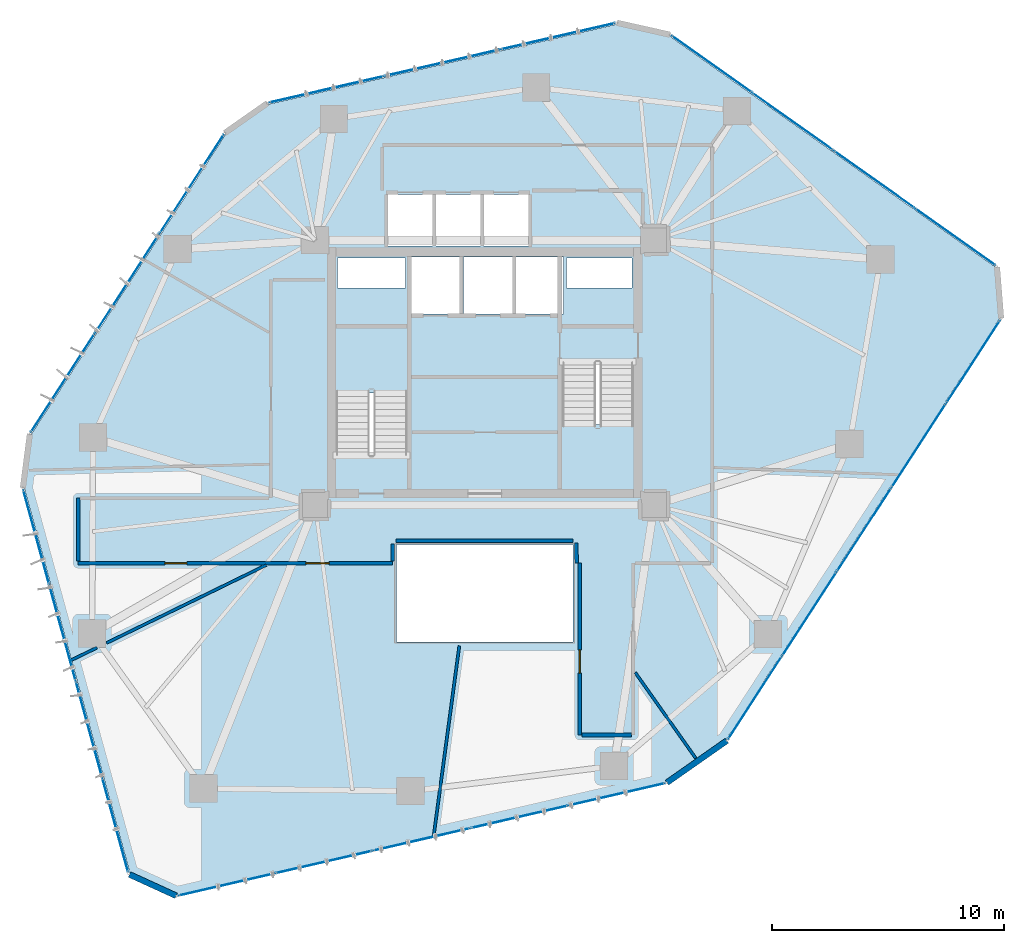
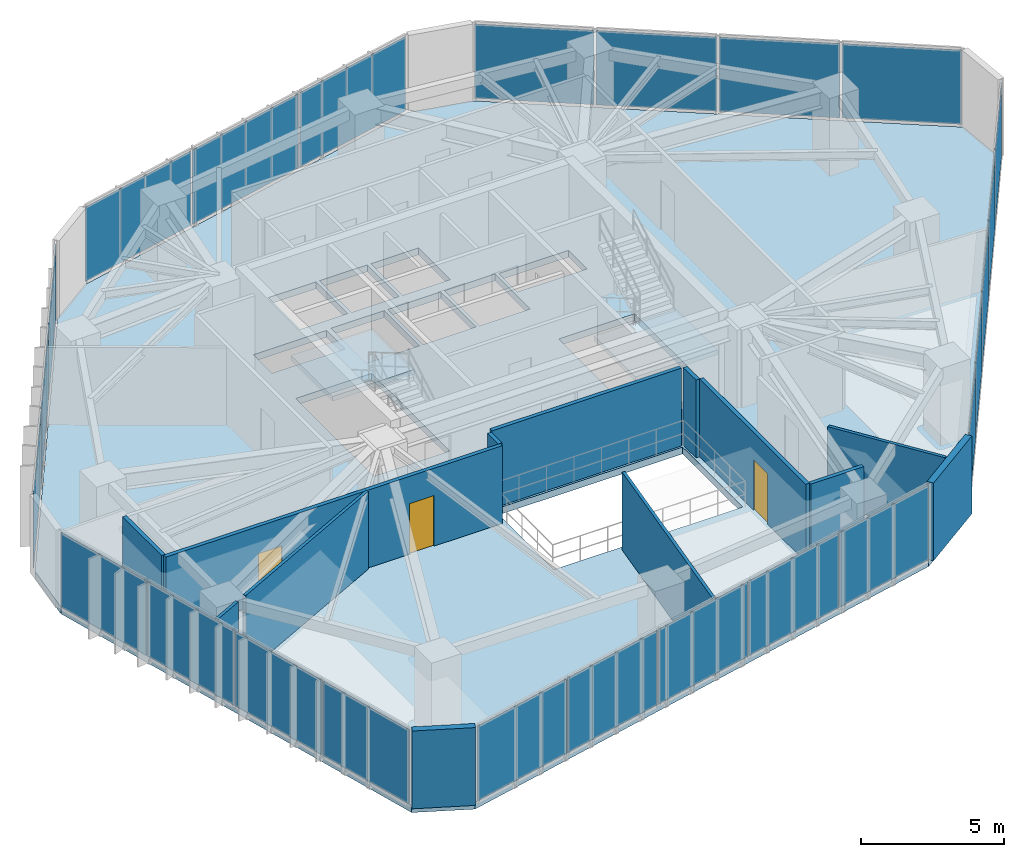
# One storey, part 16 of 21: 24 plates, 13 walls, 3 doors, 3 slabs, 3 openings, 8 elements without a shape of their own.
"""IFC4 building model written with IfcOpenShell, lengths in metres."""

import ifcopenshell
import ifcopenshell.guid

model = None  # the IFC model being written
_history = None  # IfcOwnerHistory: only IFC2X3 demands one
_inside = {}  # id of a spatial element -> (the spatial element, [elements in it])
_under = {}  # id of a project, library or spatial element -> (it, [spatial elements below it])
_declared = {}  # id of a project -> (the project, [libraries it declares])
_typed = {}  # id of a type object -> (the type object, [elements of that type])
_made_of = {}  # id of a material, layer set ... -> (it, [elements and type objects made of it])


def new_model(schema):
    """Start an empty IFC model of exactly this schema.

    Asked for "IFC4X3", IfcOpenShell would pick the latest addendum, in which some entities
    have other attributes; the version numbers below select the first issue.
    IFC2X3 requires an IfcOwnerHistory on every rooted entity: one is made here for all.
    """
    global model, _history
    if schema == "IFC4X3":
        model = ifcopenshell.file(schema_version=(4, 3, 0, 0))
    else:
        model = ifcopenshell.file(schema=schema)
    _inside.clear()
    _under.clear()
    _declared.clear()
    _typed.clear()
    _made_of.clear()
    _history = None
    if model.schema == "IFC2X3":
        org = make("IfcOrganization", Name="unknown")
        user = make(
            "IfcPersonAndOrganization",
            ThePerson=make("IfcPerson", FamilyName="unknown"),
            TheOrganization=org,
        )
        app = make(
            "IfcApplication",
            ApplicationDeveloper=org,
            Version="unknown",
            ApplicationFullName="unknown",
            ApplicationIdentifier="unknown",
        )
        _history = make(
            "IfcOwnerHistory",
            OwningUser=user,
            OwningApplication=app,
            ChangeAction="ADDED",
            CreationDate=0,
        )
    return model


def make(cls, **values):
    """One entity of the class cls with the attributes given. An attribute that is None is left unset."""
    return model.create_entity(
        cls, **{name: value for name, value in values.items() if value is not None}
    )


def rooted(cls, **values):
    """An entity with a GlobalId (a new one), such as an element, a storey or a relation."""
    return make(cls, GlobalId=ifcopenshell.guid.new(), OwnerHistory=_history, **values)


def si_unit(unit_type, name, prefix=None):
    """IfcSIUnit, for example si_unit("LENGTHUNIT", "METRE", prefix="MILLI")."""
    return make("IfcSIUnit", UnitType=unit_type, Prefix=prefix, Name=name)


def assignment(units):
    """IfcUnitAssignment: the units of a project."""
    return None if units is None else make("IfcUnitAssignment", Units=units)


def point(xyz):
    """IfcCartesianPoint."""
    return None if xyz is None else make("IfcCartesianPoint", Coordinates=xyz)


def direction(xyz):
    """IfcDirection."""
    return None if xyz is None else make("IfcDirection", DirectionRatios=xyz)


def frame(location, z_axis=None, x_axis=None):
    """IfcAxis2Placement3D, a coordinate frame: its origin and axes. An axis left out is left unset."""
    return make(
        "IfcAxis2Placement3D",
        Location=point(location),
        Axis=direction(z_axis),
        RefDirection=direction(x_axis),
    )


def frame_2d(location, x_axis=None):
    """IfcAxis2Placement2D, a coordinate frame in the plane: its origin and x axis."""
    return make(
        "IfcAxis2Placement2D", Location=point(location), RefDirection=direction(x_axis)
    )


def origin():
    """The frame at (0, 0, 0) with its axes left unset."""
    return frame((0.0, 0.0, 0.0))


def origin_2d():
    """The frame at (0, 0) in the plane with its x axis left unset."""
    return frame_2d((0.0, 0.0))


def place(relative_to, where):
    """IfcLocalPlacement: puts the frame where relative to a parent placement (None: the world)."""
    return make(
        "IfcLocalPlacement", PlacementRelTo=relative_to, RelativePlacement=where
    )


def context(
    kind, dimensions, precision=None, world=None, true_north=None, identifier=None
):
    """IfcGeometricRepresentationContext, for example the 3D "Model" context."""
    return make(
        "IfcGeometricRepresentationContext",
        ContextIdentifier=identifier,
        ContextType=kind,
        CoordinateSpaceDimension=dimensions,
        Precision=precision,
        WorldCoordinateSystem=world,
        TrueNorth=true_north,
    )


def subcontext(parent, identifier, kind, view, scale=None):
    """IfcGeometricRepresentationSubContext, for example "Body" below "Model"."""
    return make(
        "IfcGeometricRepresentationSubContext",
        ContextIdentifier=identifier,
        ContextType=kind,
        ParentContext=parent,
        TargetScale=scale,
        TargetView=view,
    )


def project(units=None, contexts=None):
    """IfcProject with its units and contexts."""
    return rooted(
        "IfcProject",
        Name="project",
        RepresentationContexts=contexts,
        UnitsInContext=assignment(units),
    )


def spatial(cls, under=None, at=None, **own):
    """A site, building, storey or space (cls), placed at a placement, below another one or the project."""
    s = rooted(cls, ObjectPlacement=at, **own)
    if under is not None:
        _under.setdefault(under.id(), (under, []))[1].append(s)
    return s


def polyline(points):
    """IfcPolyline through the points."""
    return make("IfcPolyline", Points=[point(p) for p in points])


def profile(cls, at=None, kind="AREA", **sizes):
    """A parametric profile (cls). Its sizes go by their IFC names, for example OverallWidth=200.0."""
    return make(cls, ProfileType=kind, Position=at, **sizes)


def rectangle(**sizes):
    """IfcRectangleProfileDef."""
    return profile("IfcRectangleProfileDef", **sizes)


def outline(outer, holes=None, kind="AREA"):
    """IfcArbitraryClosedProfileDef: a profile drawn as a closed curve; with holes, ...WithVoids."""
    if holes is None:
        return make("IfcArbitraryClosedProfileDef", ProfileType=kind, OuterCurve=outer)
    return make(
        "IfcArbitraryProfileDefWithVoids",
        ProfileType=kind,
        OuterCurve=outer,
        InnerCurves=holes,
    )


def extrude(swept, where, along, depth):
    """IfcExtrudedAreaSolid: the profile swept, set in the frame where, extruded along a direction by depth."""
    return make(
        "IfcExtrudedAreaSolid",
        SweptArea=swept,
        Position=where,
        ExtrudedDirection=direction(along),
        Depth=depth,
    )


def shape(context_of_items, identifier, shape_type, items):
    """IfcShapeRepresentation: the items that make up one representation, for example the "Body"."""
    return make(
        "IfcShapeRepresentation",
        ContextOfItems=context_of_items,
        RepresentationIdentifier=identifier,
        RepresentationType=shape_type,
        Items=items,
    )


def source(mapping_origin, context_of_items, identifier, shape_type, items):
    """IfcRepresentationMap: a shape defined once, which mapped items show again and again."""
    return make(
        "IfcRepresentationMap",
        MappingOrigin=mapping_origin,
        MappedRepresentation=shape(context_of_items, identifier, shape_type, items),
    )


def transform(
    local_origin,
    x_axis=None,
    y_axis=None,
    z_axis=None,
    scale=None,
    scale2=None,
    scale3=None,
    uniform=True,
):
    """IfcCartesianTransformationOperator3D, or its non-uniform kind. x_axis, y_axis, z_axis: its Axis1, 2, 3."""
    if uniform:
        return make(
            "IfcCartesianTransformationOperator3D",
            Axis1=direction(x_axis),
            Axis2=direction(y_axis),
            LocalOrigin=point(local_origin),
            Scale=scale,
            Axis3=direction(z_axis),
        )
    return make(
        "IfcCartesianTransformationOperator3DnonUniform",
        Axis1=direction(x_axis),
        Axis2=direction(y_axis),
        LocalOrigin=point(local_origin),
        Scale=scale,
        Axis3=direction(z_axis),
        Scale2=scale2,
        Scale3=scale3,
    )


def mapped(mapping_source, mapping_target):
    """IfcMappedItem: shows the shape of a source again, moved by a transform."""
    return make(
        "IfcMappedItem", MappingSource=mapping_source, MappingTarget=mapping_target
    )


def material(Name=None, Category=None):
    """IfcMaterial."""
    return make("IfcMaterial", Name=Name, Category=Category)


def layer(
    of_material, thickness, ventilated=None, Name=None, Category=None, Priority=None
):
    """IfcMaterialLayer: one layer of a wall or slab, of a material (None: an air gap)."""
    return make(
        "IfcMaterialLayer",
        Material=of_material,
        LayerThickness=thickness,
        IsVentilated=ventilated,
        Name=Name,
        Category=Category,
        Priority=Priority,
    )


def layer_set(layers, Name=None):
    """IfcMaterialLayerSet."""
    return make("IfcMaterialLayerSet", MaterialLayers=layers, LayerSetName=Name)


def made_of(thing, what):
    """Note that an element or type object is made of a material, layer set ...; save() writes the relation."""
    if what is not None:
        _made_of.setdefault(what.id(), (what, []))[1].append(thing)
    return thing


def type_object(cls, material=None, **own):
    """A type object (cls), such as IfcWallType, which elements share."""
    return made_of(rooted(cls, **own), material)


def type_shapes(of_type, sources):
    """Give a type object the sources (RepresentationMaps) that its elements show as mapped items."""
    of_type.RepresentationMaps = sources


def element(
    cls,
    number,
    at=None,
    inside=None,
    cuts=None,
    type_object=None,
    material=None,
    context=None,
    identifier="Body",
    shape_type=None,
    held_by="IfcProductDefinitionShape",
    body=None,
    shapes=None,
    **own,
):
    """One element of the class cls, such as IfcWall. Its Tag is "e" and its number.

    at: its placement. inside: the storey or other place that contains it. cuts: it is an
    opening in that element (IfcRelVoidsElement). A single representation is given by context,
    identifier, shape_type and body (its items); several are given by shapes. held_by: the class
    of the entity that holds the representations. save() writes the other relations.
    """
    e = rooted(cls, Tag="e%d" % number, ObjectPlacement=at, **own)
    if body is not None:
        shapes = [shape(context, identifier, shape_type, body)]
    if shapes is not None:
        e.Representation = make(held_by, Representations=shapes)
    if inside is not None:
        _inside.setdefault(inside.id(), (inside, []))[1].append(e)
    if cuts is not None:
        rooted(
            "IfcRelVoidsElement", RelatingBuildingElement=cuts, RelatedOpeningElement=e
        )
    if type_object is not None:
        _typed.setdefault(type_object.id(), (type_object, []))[1].append(e)
    return made_of(e, material)


def fill(opening, filler):
    """IfcRelFillsElement: the door or window that sits in an opening."""
    return rooted(
        "IfcRelFillsElement",
        RelatingOpeningElement=opening,
        RelatedBuildingElement=filler,
    )


def aggregate(whole, parts):
    """IfcRelAggregates: a whole, such as a stair, and the parts it consists of."""
    return rooted("IfcRelAggregates", RelatingObject=whole, RelatedObjects=parts)


def save(model, path):
    """Write the relations noted so far, then the file.

    IfcRelAggregates (storeys below a building ...), IfcRelContainedInSpatialStructure (elements
    in a storey), IfcRelDefinesByType, IfcRelAssociatesMaterial and IfcRelDeclares: one each for
    every whole, place, type object, material and project.
    """
    for whole, parts in _under.values():
        aggregate(whole, parts)
    for where, things in _inside.values():
        rooted(
            "IfcRelContainedInSpatialStructure",
            RelatedElements=things,
            RelatingStructure=where,
        )
    for kind, things in _typed.values():
        rooted("IfcRelDefinesByType", RelatedObjects=things, RelatingType=kind)
    for what, things in _made_of.values():
        rooted("IfcRelAssociatesMaterial", RelatedObjects=things, RelatingMaterial=what)
    for by, libraries in _declared.values():
        rooted("IfcRelDeclares", RelatingContext=by, RelatedDefinitions=libraries)
    model.write(path)


model = new_model("IFC4")

# Units and contexts
model_context = context("Model", 3, precision=1e-05, world=origin(), true_north=direction((0.0, 1.0)))
body_context = subcontext(model_context, "Body", "Model", "MODEL_VIEW")
ifc_project = project(units=[si_unit("LENGTHUNIT", "METRE"), si_unit("AREAUNIT", "SQUARE_METRE"), si_unit("VOLUMEUNIT", "CUBIC_METRE"), si_unit("PLANEANGLEUNIT", "RADIAN"), si_unit("MASSUNIT", "GRAM", prefix="KILO")], contexts=[model_context])

# Site, building, storey
site_placement = place(None, origin())
site = spatial("IfcSite", under=ifc_project, at=site_placement, CompositionType="ELEMENT")
building_placement = place(site_placement, origin())
building = spatial("IfcBuilding", under=site, at=building_placement, Name="Talar Marvaseh", CompositionType="ELEMENT")
storey_placement = place(building_placement, frame((0.0, 0.0, 129.0)))
storey = spatial("IfcBuildingStorey", under=building, at=storey_placement, Name="L33", CompositionType="ELEMENT", Elevation=129.0)

# Stair, slab
ifc_material_1 = material(Name="Concrete C40/50", Category="concrete")
stair_type = type_object("IfcStairType", Name="Reinforced Concrete Half-Turn Exit Stair Type B", PredefinedType="HALF_TURN_STAIR", material=ifc_material_1)
stair_1_placement = place(storey_placement, origin())
stair_1 = element("IfcStair", 1, at=stair_1_placement, inside=storey, type_object=stair_type, Name="L33 Tower West Core Exit Stair", PredefinedType="HALF_TURN_STAIR")
ifc_layer_1 = layer(ifc_material_1, 0.199951171875)
ifc_layer_set_1 = layer_set([ifc_layer_1], Name="Concrete C40/50")
slab_type_1 = type_object("IfcSlabType", Name="Reinforced Concrete Stair Half-Landing Slab 200", PredefinedType="LANDING", material=ifc_layer_set_1)
slab_1_placement = place(storey_placement, frame((0.0, 0.0, 1.60009765625)))
slab_1 = element("IfcSlab", 2, at=slab_1_placement, type_object=slab_type_1, Name="ST-1 landing 1", PredefinedType="LANDING", context=body_context, shape_type="SweptSolid", body=[
    extrude(outline(polyline([(22.780029296875, 30.330078125), (22.780029296875, 33.219970703125), (19.47998046875, 33.219970703125), (19.47998046875, 30.330078125), (22.780029296875, 30.330078125)])), origin(), (0.0, 0.0, 1.0), 0.199951171875),
])
aggregate(stair_1, [slab_1])

stair_2_placement = place(storey_placement, origin())
stair_2 = element("IfcStair", 3, at=stair_2_placement, inside=storey, type_object=stair_type, Name="L33 Tower East Core Exit Stair", PredefinedType="HALF_TURN_STAIR")
slab_2_placement = place(storey_placement, frame((0.0, 0.0, 1.60009765625)))
slab_2 = element("IfcSlab", 4, at=slab_2_placement, type_object=slab_type_1, Name="ST-2 landing 1", PredefinedType="LANDING", context=body_context, shape_type="SweptSolid", body=[
    extrude(outline(polyline([(29.219970703125, 28.969970703125), (29.219970703125, 26.080078125), (32.52001953125, 26.080078125), (32.52001953125, 28.969970703125), (29.219970703125, 28.969970703125)])), origin(), (0.0, 0.0, 1.0), 0.199951171875),
])
aggregate(stair_2, [slab_2])

# Slab
ifc_layer_2 = layer(ifc_material_1, 0.2900390625)
ifc_layer_set_2 = layer_set([ifc_layer_2], Name="Concrete C40/50")
slab_type_2 = type_object("IfcSlabType", Name="Structural Suspended Floor Slab 290", PredefinedType="FLOOR", material=ifc_layer_set_2)
slab_3_placement = place(storey_placement, frame((0.0, 0.0, -0.2900390625)))
element("IfcSlab", 5, at=slab_3_placement, inside=storey, type_object=slab_type_2, Name="L33 Tower Floor Slab", PredefinedType="FLOOR", context=body_context, shape_type="SweptSolid", body=[
    extrude(outline(polyline([(12.747802734375, 8.728515625), (10.73193359375, 9.650390625), (6.182373046875, 26.22900390625), (6.482666015625, 28.55029296875), (14.849609375, 41.467529296875), (16.6884765625, 42.75537109375), (31.688232421875, 46.199462890625), (33.972412109375, 45.687744140625), (47.9951171875, 35.7421875), (48.171875, 33.53271484375), (36.395263671875, 15.404541015625), (33.810791015625, 13.5947265625), (12.747802734375, 8.728515625)]), holes=[polyline([(22.659912109375, 27.64990234375), (22.659912109375, 33.10009765625), (19.60009765625, 33.10009765625), (19.60009765625, 27.64990234375), (22.659912109375, 27.64990234375)]), polyline([(29.340087890625, 31.64990234375), (29.340087890625, 26.199951171875), (32.39990234375, 26.199951171875), (32.39990234375, 31.64990234375), (29.340087890625, 31.64990234375)]), polyline([(22.800048828125, 33.719970703125), (24.93994140625, 33.719970703125), (24.93994140625, 36.179931640625), (22.800048828125, 36.179931640625), (22.800048828125, 33.719970703125)]), polyline([(25.080078125, 33.719970703125), (27.219970703125, 33.719970703125), (27.219970703125, 36.179931640625), (25.080078125, 36.179931640625), (25.080078125, 33.719970703125)]), polyline([(27.360107421875, 33.719970703125), (29.39990234375, 33.719970703125), (29.39990234375, 36.179931640625), (27.360107421875, 36.179931640625), (27.360107421875, 33.719970703125)]), polyline([(21.840087890625, 36.659912109375), (23.760009765625, 36.659912109375), (23.760009765625, 38.8798828125), (21.840087890625, 38.8798828125), (21.840087890625, 36.659912109375)]), polyline([(23.89990234375, 36.659912109375), (25.820068359375, 36.659912109375), (25.820068359375, 38.8798828125), (23.89990234375, 38.8798828125), (23.89990234375, 36.659912109375)]), polyline([(25.9599609375, 36.659912109375), (27.8798828125, 36.659912109375), (27.8798828125, 38.8798828125), (25.9599609375, 38.8798828125), (25.9599609375, 36.659912109375)]), polyline([(19.659912109375, 34.840087890625), (22.60009765625, 34.840087890625), (22.60009765625, 36.139892578125), (19.659912109375, 36.139892578125), (19.659912109375, 34.840087890625)]), polyline([(29.52001953125, 34.840087890625), (32.340087890625, 34.840087890625), (32.340087890625, 36.139892578125), (29.52001953125, 36.139892578125), (29.52001953125, 34.840087890625)]), polyline([(22.199951171875, 19.60009765625), (29.800048828125, 19.60009765625), (29.800048828125, 23.800048828125), (22.199951171875, 23.800048828125), (22.199951171875, 19.60009765625)])]), origin(), (0.0, 0.0, 1.0), 0.2900390625),
])

# Curtain wall, plates
ifc_material_2 = material(Name="Architectural Aluminium", Category="aluminium")
ifc_layer_3 = layer(ifc_material_2, 0.199951171875)
ifc_layer_set_3 = layer_set([ifc_layer_3], Name="Architectural Aluminium")
curtain_wall_type = type_object("IfcCurtainWallType", Name="Unitised Acoustic Library Curtain Wall Z2", PredefinedType="NOTDEFINED", material=ifc_layer_set_3)
curtain_wall_1_placement = place(storey_placement, origin())
curtain_wall_1 = element("IfcCurtainWall", 6, at=curtain_wall_1_placement, inside=storey, type_object=curtain_wall_type, Name="L33 Unitised Acoustic Library Curtain Wall Z2", PredefinedType="NOTDEFINED")
ifc_material_3 = material(Name="Laminated Low-E Solar Glass", Category="glass")
ifc_layer_4 = layer(ifc_material_3, 0.028076171875)
ifc_layer_set_4 = layer_set([ifc_layer_4], Name="Laminated Low-E Solar Glass")
plate_type = type_object("IfcPlateType", Name="Double-Glazed Low-E Vision Curtain Panel 28", PredefinedType="CURTAIN_PANEL", material=ifc_layer_set_4)
shared_shape_1 = source(origin(), body_context, "Body", "SweptSolid", [
    extrude(rectangle(XDim=4.185302734375, YDim=0.028076171875, at=origin_2d()), origin(), (0.0, 0.0, 1.0), 3.159912109375),
])
plate_1_placement = place(storey_placement, frame((10.100341796875, 11.724853515625, 0.0751953125), z_axis=(0.0, 0.0, 1.0), x_axis=(-0.264647297933, 0.964345274109, 0.0)))
plate_1 = element("IfcPlate", 7, at=plate_1_placement, type_object=plate_type, Name="CW-Z2 panel 1.1", PredefinedType="CURTAIN_PANEL", context=body_context, shape_type="MappedRepresentation", body=[
    mapped(shared_shape_1, transform((0.0, 0.0, 0.0), x_axis=(1.0, 0.0, 0.0), y_axis=(0.0, 1.0, 0.0), z_axis=(0.0, 0.0, 1.0), scale=1.0)),
])
plate_2_placement = place(storey_placement, frame((6.697998046875, 24.12255859375, 0.0751953125), z_axis=(0.0, 0.0, 1.0), x_axis=(-0.264647297933, 0.964345274109, 0.0)))
plate_2 = element("IfcPlate", 8, at=plate_2_placement, type_object=plate_type, Name="CW-Z2 panel 4.1", PredefinedType="CURTAIN_PANEL", context=body_context, shape_type="MappedRepresentation", body=[
    mapped(shared_shape_1, transform((0.0, 0.0, 0.0), x_axis=(1.0, 0.0, 0.0), y_axis=(0.0, 1.0, 0.0), z_axis=(0.0, 0.0, 1.0), scale=1.0)),
])

curtain_wall_2_placement = place(storey_placement, origin())
curtain_wall_2 = element("IfcCurtainWall", 9, at=curtain_wall_2_placement, inside=storey, type_object=curtain_wall_type, Name="L33 Unitised Acoustic Library Curtain Wall Z2", PredefinedType="NOTDEFINED")
plate_3_placement = place(storey_placement, frame((35.775390625, 44.482666015625, 0.0751953125), z_axis=(0.0, 0.0, 1.0), x_axis=(0.815669709841, -0.578517868737, 0.0)))
plate_3 = element("IfcPlate", 10, at=plate_3_placement, type_object=plate_type, Name="CW-Z2 panel 1.1", PredefinedType="CURTAIN_PANEL", context=body_context, shape_type="MappedRepresentation", body=[
    mapped(shared_shape_1, transform((0.0, 0.0, 0.0), x_axis=(1.0, 0.0, 0.0), y_axis=(0.0, 1.0, 0.0), z_axis=(0.0, 0.0, 1.0), scale=1.0)),
])
plate_4_placement = place(storey_placement, frame((46.26171875, 37.045166015625, 0.0751953125), z_axis=(0.0, 0.0, 1.0), x_axis=(0.815669709841, -0.578517868737, 0.0)))
plate_4 = element("IfcPlate", 11, at=plate_4_placement, type_object=plate_type, Name="CW-Z2 panel 4.1", PredefinedType="CURTAIN_PANEL", context=body_context, shape_type="MappedRepresentation", body=[
    mapped(shared_shape_1, transform((0.0, 0.0, 0.0), x_axis=(1.0, 0.0, 0.0), y_axis=(0.0, 1.0, 0.0), z_axis=(0.0, 0.0, 1.0), scale=1.0)),
])

# Plate
shared_shape_2 = source(origin(), body_context, "Body", "SweptSolid", [
    extrude(rectangle(XDim=4.222900390625, YDim=0.028076171875, at=origin_2d()), origin(), (0.0, 0.0, 1.0), 3.159912109375),
])
plate_5_placement = place(storey_placement, frame((8.968017578125, 15.851318359375, 0.0751953125), z_axis=(0.0, 0.0, 1.0), x_axis=(-0.264647297933, 0.964345274109, 0.0)))
plate_5 = element("IfcPlate", 12, at=plate_5_placement, type_object=plate_type, Name="CW-Z2 panel 2.1", PredefinedType="CURTAIN_PANEL", context=body_context, shape_type="MappedRepresentation", body=[
    mapped(shared_shape_2, transform((0.0, 0.0, 0.0), x_axis=(1.0, 0.0, 0.0), y_axis=(0.0, 1.0, 0.0), z_axis=(0.0, 0.0, 1.0), scale=1.0)),
])

plate_6_placement = place(storey_placement, frame((7.83056640625, 19.99609375, 0.0751953125), z_axis=(0.0, 0.0, 1.0), x_axis=(-0.264647297933, 0.964345274109, 0.0)))
plate_6 = element("IfcPlate", 13, at=plate_6_placement, type_object=plate_type, Name="CW-Z2 panel 3.1", PredefinedType="CURTAIN_PANEL", context=body_context, shape_type="MappedRepresentation", body=[
    mapped(shared_shape_2, transform((0.0, 0.0, 0.0), x_axis=(1.0, 0.0, 0.0), y_axis=(0.0, 1.0, 0.0), z_axis=(0.0, 0.0, 1.0), scale=1.0)),
])

aggregate(curtain_wall_1, [plate_1, plate_5, plate_6, plate_2])

plate_7_placement = place(storey_placement, frame((39.265625, 42.007080078125, 0.0751953125), z_axis=(0.0, 0.0, 1.0), x_axis=(0.815669709841, -0.578517868737, 0.0)))
plate_7 = element("IfcPlate", 14, at=plate_7_placement, type_object=plate_type, Name="CW-Z2 panel 2.1", PredefinedType="CURTAIN_PANEL", context=body_context, shape_type="MappedRepresentation", body=[
    mapped(shared_shape_2, transform((0.0, 0.0, 0.0), x_axis=(1.0, 0.0, 0.0), y_axis=(0.0, 1.0, 0.0), z_axis=(0.0, 0.0, 1.0), scale=1.0)),
])

plate_8_placement = place(storey_placement, frame((42.771240234375, 39.520751953125, 0.0751953125), z_axis=(0.0, 0.0, 1.0), x_axis=(0.815669709841, -0.578517868737, 0.0)))
plate_8 = element("IfcPlate", 15, at=plate_8_placement, type_object=plate_type, Name="CW-Z2 panel 3.1", PredefinedType="CURTAIN_PANEL", context=body_context, shape_type="MappedRepresentation", body=[
    mapped(shared_shape_2, transform((0.0, 0.0, 0.0), x_axis=(1.0, 0.0, 0.0), y_axis=(0.0, 1.0, 0.0), z_axis=(0.0, 0.0, 1.0), scale=1.0)),
])

aggregate(curtain_wall_2, [plate_3, plate_7, plate_8, plate_4])

# Curtain wall, plates
curtain_wall_3_placement = place(storey_placement, origin())
curtain_wall_3 = element("IfcCurtainWall", 16, at=curtain_wall_3_placement, inside=storey, type_object=curtain_wall_type, Name="L33 Unitised Acoustic Library Curtain Wall Z2", PredefinedType="NOTDEFINED")
shared_shape_3 = source(origin(), body_context, "Body", "SweptSolid", [
    extrude(rectangle(XDim=5.017578125, YDim=0.028076171875, at=origin_2d()), origin(), (0.0, 0.0, 1.0), 3.159912109375),
])
plate_9_placement = place(storey_placement, frame((7.8369140625, 30.751708984375, 0.0751953125), z_axis=(0.0, 0.0, 1.0), x_axis=(0.543645641598, 0.839314849369, 0.0)))
plate_9 = element("IfcPlate", 17, at=plate_9_placement, type_object=plate_type, Name="CW-Z2 panel 1.1", PredefinedType="CURTAIN_PANEL", context=body_context, shape_type="MappedRepresentation", body=[
    mapped(shared_shape_3, transform((0.0, 0.0, 0.0), x_axis=(1.0, 0.0, 0.0), y_axis=(0.0, 1.0, 0.0), z_axis=(0.0, 0.0, 1.0), scale=1.0)),
])
plate_10_placement = place(storey_placement, frame((13.39453125, 39.33154296875, 0.0751953125), z_axis=(0.0, 0.0, 1.0), x_axis=(0.543645641598, 0.839314849369, 0.0)))
plate_10 = element("IfcPlate", 18, at=plate_10_placement, type_object=plate_type, Name="CW-Z2 panel 3.1", PredefinedType="CURTAIN_PANEL", context=body_context, shape_type="MappedRepresentation", body=[
    mapped(shared_shape_3, transform((0.0, 0.0, 0.0), x_axis=(1.0, 0.0, 0.0), y_axis=(0.0, 1.0, 0.0), z_axis=(0.0, 0.0, 1.0), scale=1.0)),
])

curtain_wall_4_placement = place(storey_placement, origin())
curtain_wall_4 = element("IfcCurtainWall", 19, at=curtain_wall_4_placement, inside=storey, type_object=curtain_wall_type, Name="L33 Unitised Acoustic Library Curtain Wall Z2", PredefinedType="NOTDEFINED")
plate_11_placement = place(storey_placement, frame((19.193359375, 43.39208984375, 0.0751953125), z_axis=(0.0, 0.0, 1.0), x_axis=(0.974636792928, 0.223792586722, 0.0)))
plate_11 = element("IfcPlate", 20, at=plate_11_placement, type_object=plate_type, Name="CW-Z2 panel 1.1", PredefinedType="CURTAIN_PANEL", context=body_context, shape_type="MappedRepresentation", body=[
    mapped(shared_shape_3, transform((0.0, 0.0, 0.0), x_axis=(1.0, 0.0, 0.0), y_axis=(0.0, 1.0, 0.0), z_axis=(0.0, 0.0, 1.0), scale=1.0)),
])
plate_12_placement = place(storey_placement, frame((29.15673828125, 45.6796875, 0.0751953125), z_axis=(0.0, 0.0, 1.0), x_axis=(0.974636792928, 0.223792586722, 0.0)))
plate_12 = element("IfcPlate", 21, at=plate_12_placement, type_object=plate_type, Name="CW-Z2 panel 3.1", PredefinedType="CURTAIN_PANEL", context=body_context, shape_type="MappedRepresentation", body=[
    mapped(shared_shape_3, transform((0.0, 0.0, 0.0), x_axis=(1.0, 0.0, 0.0), y_axis=(0.0, 1.0, 0.0), z_axis=(0.0, 0.0, 1.0), scale=1.0)),
])
shared_shape_4 = source(origin(), body_context, "Body", "SweptSolid", [
    extrude(rectangle(XDim=5.054931640625, YDim=0.028076171875, at=origin_2d()), origin(), (0.0, 0.0, 1.0), 3.159912109375),
])
plate_13_placement = place(storey_placement, frame((24.175048828125, 44.535888671875, 0.0751953125), z_axis=(0.0, 0.0, 1.0), x_axis=(0.974636792928, 0.223792586722, 0.0)))
plate_13 = element("IfcPlate", 22, at=plate_13_placement, type_object=plate_type, Name="CW-Z2 panel 2.1", PredefinedType="CURTAIN_PANEL", context=body_context, shape_type="MappedRepresentation", body=[
    mapped(shared_shape_4, transform((0.0, 0.0, 0.0), x_axis=(1.0, 0.0, 0.0), y_axis=(0.0, 1.0, 0.0), z_axis=(0.0, 0.0, 1.0), scale=1.0)),
])
aggregate(curtain_wall_4, [plate_11, plate_13, plate_12])

# Plate
shared_shape_5 = source(origin(), body_context, "Body", "SweptSolid", [
    extrude(rectangle(XDim=5.05517578125, YDim=0.028076171875, at=origin_2d()), origin(), (0.0, 0.0, 1.0), 3.159912109375),
])
plate_14_placement = place(storey_placement, frame((10.61572265625, 35.04150390625, 0.0751953125), z_axis=(0.0, 0.0, 1.0), x_axis=(0.543645641598, 0.839314849369, 0.0)))
plate_14 = element("IfcPlate", 23, at=plate_14_placement, type_object=plate_type, Name="CW-Z2 panel 2.1", PredefinedType="CURTAIN_PANEL", context=body_context, shape_type="MappedRepresentation", body=[
    mapped(shared_shape_5, transform((0.0, 0.0, 0.0), x_axis=(1.0, 0.0, 0.0), y_axis=(0.0, 1.0, 0.0), z_axis=(0.0, 0.0, 1.0), scale=1.0)),
])

aggregate(curtain_wall_3, [plate_9, plate_14, plate_10])

# Curtain wall, plates
curtain_wall_5_placement = place(storey_placement, origin())
curtain_wall_5 = element("IfcCurtainWall", 24, at=curtain_wall_5_placement, inside=storey, type_object=curtain_wall_type, Name="L33 Unitised Acoustic Library Curtain Wall Z2", PredefinedType="NOTDEFINED")
shared_shape_6 = source(origin(), body_context, "Body", "SweptSolid", [
    extrude(rectangle(XDim=4.2109375, YDim=0.028076171875, at=origin_2d()), origin(), (0.0, 0.0, 1.0), 3.159912109375),
])
plate_15_placement = place(storey_placement, frame((47.034423828125, 31.67138671875, 0.0751953125), z_axis=(0.0, 0.0, 1.0), x_axis=(-0.544769477449, -0.838585843215, 0.0)))
plate_15 = element("IfcPlate", 25, at=plate_15_placement, type_object=plate_type, Name="CW-Z2 panel 1.1", PredefinedType="CURTAIN_PANEL", context=body_context, shape_type="MappedRepresentation", body=[
    mapped(shared_shape_6, transform((0.0, 0.0, 0.0), x_axis=(1.0, 0.0, 0.0), y_axis=(0.0, 1.0, 0.0), z_axis=(0.0, 0.0, 1.0), scale=1.0)),
])
plate_16_placement = place(storey_placement, frame((37.633544921875, 17.200439453125, 0.0751953125), z_axis=(0.0, 0.0, 1.0), x_axis=(-0.544769477449, -0.838585843215, 0.0)))
plate_16 = element("IfcPlate", 26, at=plate_16_placement, type_object=plate_type, Name="CW-Z2 panel 5.1", PredefinedType="CURTAIN_PANEL", context=body_context, shape_type="MappedRepresentation", body=[
    mapped(shared_shape_6, transform((0.0, 0.0, 0.0), x_axis=(1.0, 0.0, 0.0), y_axis=(0.0, 1.0, 0.0), z_axis=(0.0, 0.0, 1.0), scale=1.0)),
])

curtain_wall_6_placement = place(storey_placement, origin())
curtain_wall_6 = element("IfcCurtainWall", 27, at=curtain_wall_6_placement, inside=storey, type_object=curtain_wall_type, Name="L33 Unitised Acoustic Library Curtain Wall Z2", PredefinedType="NOTDEFINED")
plate_17_placement = place(storey_placement, frame((31.69970703125, 13.04541015625, 0.0751953125), z_axis=(0.0, 0.0, 1.0), x_axis=(-0.974334875249, -0.225103422614, 0.0)))
plate_17 = element("IfcPlate", 28, at=plate_17_placement, type_object=plate_type, Name="CW-Z2 panel 1.1", PredefinedType="CURTAIN_PANEL", context=body_context, shape_type="MappedRepresentation", body=[
    mapped(shared_shape_6, transform((0.0, 0.0, 0.0), x_axis=(1.0, 0.0, 0.0), y_axis=(0.0, 1.0, 0.0), z_axis=(0.0, 0.0, 1.0), scale=1.0)),
])
plate_18_placement = place(storey_placement, frame((14.885986328125, 9.160888671875, 0.0751953125), z_axis=(0.0, 0.0, 1.0), x_axis=(-0.974334875249, -0.225103422614, 0.0)))
plate_18 = element("IfcPlate", 29, at=plate_18_placement, type_object=plate_type, Name="CW-Z2 panel 5.1", PredefinedType="CURTAIN_PANEL", context=body_context, shape_type="MappedRepresentation", body=[
    mapped(shared_shape_6, transform((0.0, 0.0, 0.0), x_axis=(1.0, 0.0, 0.0), y_axis=(0.0, 1.0, 0.0), z_axis=(0.0, 0.0, 1.0), scale=1.0)),
])

# Plate
shared_shape_7 = source(origin(), body_context, "Body", "SweptSolid", [
    extrude(rectangle(XDim=4.24853515625, YDim=0.028076171875, at=origin_2d()), origin(), (0.0, 0.0, 1.0), 3.159912109375),
])
type_shapes(plate_type, [shared_shape_1, shared_shape_2, shared_shape_3, shared_shape_4, shared_shape_5, shared_shape_6, shared_shape_7])
plate_19_placement = place(storey_placement, frame((44.689208984375, 28.0615234375, 0.0751953125), z_axis=(0.0, 0.0, 1.0), x_axis=(-0.544769477449, -0.838585843215, 0.0)))
plate_19 = element("IfcPlate", 30, at=plate_19_placement, type_object=plate_type, Name="CW-Z2 panel 2.1", PredefinedType="CURTAIN_PANEL", context=body_context, shape_type="MappedRepresentation", body=[
    mapped(shared_shape_7, transform((0.0, 0.0, 0.0), x_axis=(1.0, 0.0, 0.0), y_axis=(0.0, 1.0, 0.0), z_axis=(0.0, 0.0, 1.0), scale=1.0)),
])

plate_20_placement = place(storey_placement, frame((42.333984375, 24.435791015625, 0.0751953125), z_axis=(0.0, 0.0, 1.0), x_axis=(-0.544769477449, -0.838585843215, 0.0)))
plate_20 = element("IfcPlate", 31, at=plate_20_placement, type_object=plate_type, Name="CW-Z2 panel 3.1", PredefinedType="CURTAIN_PANEL", context=body_context, shape_type="MappedRepresentation", body=[
    mapped(shared_shape_7, transform((0.0, 0.0, 0.0), x_axis=(1.0, 0.0, 0.0), y_axis=(0.0, 1.0, 0.0), z_axis=(0.0, 0.0, 1.0), scale=1.0)),
])

plate_21_placement = place(storey_placement, frame((39.978515625, 20.810302734375, 0.0751953125), z_axis=(0.0, 0.0, 1.0), x_axis=(-0.544769477449, -0.838585843215, 0.0)))
plate_21 = element("IfcPlate", 32, at=plate_21_placement, type_object=plate_type, Name="CW-Z2 panel 4.1", PredefinedType="CURTAIN_PANEL", context=body_context, shape_type="MappedRepresentation", body=[
    mapped(shared_shape_7, transform((0.0, 0.0, 0.0), x_axis=(1.0, 0.0, 0.0), y_axis=(0.0, 1.0, 0.0), z_axis=(0.0, 0.0, 1.0), scale=1.0)),
])

aggregate(curtain_wall_5, [plate_15, plate_19, plate_20, plate_21, plate_16])

plate_22_placement = place(storey_placement, frame((27.50537109375, 12.076416015625, 0.0751953125), z_axis=(0.0, 0.0, 1.0), x_axis=(-0.974334875249, -0.225103422614, 0.0)))
plate_22 = element("IfcPlate", 33, at=plate_22_placement, type_object=plate_type, Name="CW-Z2 panel 2.1", PredefinedType="CURTAIN_PANEL", context=body_context, shape_type="MappedRepresentation", body=[
    mapped(shared_shape_7, transform((0.0, 0.0, 0.0), x_axis=(1.0, 0.0, 0.0), y_axis=(0.0, 1.0, 0.0), z_axis=(0.0, 0.0, 1.0), scale=1.0)),
])

plate_23_placement = place(storey_placement, frame((23.292724609375, 11.10302734375, 0.0751953125), z_axis=(0.0, 0.0, 1.0), x_axis=(-0.974334875249, -0.225103422614, 0.0)))
plate_23 = element("IfcPlate", 34, at=plate_23_placement, type_object=plate_type, Name="CW-Z2 panel 3.1", PredefinedType="CURTAIN_PANEL", context=body_context, shape_type="MappedRepresentation", body=[
    mapped(shared_shape_7, transform((0.0, 0.0, 0.0), x_axis=(1.0, 0.0, 0.0), y_axis=(0.0, 1.0, 0.0), z_axis=(0.0, 0.0, 1.0), scale=1.0)),
])

plate_24_placement = place(storey_placement, frame((19.080322265625, 10.1298828125, 0.0751953125), z_axis=(0.0, 0.0, 1.0), x_axis=(-0.974334875249, -0.225103422614, 0.0)))
plate_24 = element("IfcPlate", 35, at=plate_24_placement, type_object=plate_type, Name="CW-Z2 panel 4.1", PredefinedType="CURTAIN_PANEL", context=body_context, shape_type="MappedRepresentation", body=[
    mapped(shared_shape_7, transform((0.0, 0.0, 0.0), x_axis=(1.0, 0.0, 0.0), y_axis=(0.0, 1.0, 0.0), z_axis=(0.0, 0.0, 1.0), scale=1.0)),
])

aggregate(curtain_wall_6, [plate_17, plate_22, plate_23, plate_24, plate_18])

# Walls
ifc_material_4 = material(Name="Precast concrete C45/55", Category="concrete")
ifc_layer_5 = layer(ifc_material_4, 0.2548828125)
ifc_layer_set_5 = layer_set([ifc_layer_5], Name="Precast concrete C45/55")
wall_type_1 = type_object("IfcWallType", Name="Chamfered Hexagonal Corner Pier Wall Z2 255", PredefinedType="SOLIDWALL", material=ifc_layer_set_5)
wall_1_placement = place(storey_placement, frame((12.722900390625, 8.673828125, 0.0), z_axis=(0.0, 0.0, 1.0), x_axis=(-0.909417352408, 0.415884694525, 0.0)))
element("IfcWall", 36, at=wall_1_placement, inside=storey, type_object=wall_type_1, Name="L33 Chamfered Corner Limestone Pier 1", PredefinedType="SOLIDWALL", context=body_context, shape_type="SweptSolid", body=[
    extrude(rectangle(XDim=2.216552734375, YDim=0.2548828125, at=frame_2d((1.1083984375, 0.0))), origin(), (0.0, 0.0, 1.0), 3.31005859375),
])
wall_2_placement = place(storey_placement, frame((36.4296875, 15.35546875, 0.0), z_axis=(0.0, 0.0, 1.0), x_axis=(-0.819130120967, -0.573607744826, 0.0)))
element("IfcWall", 37, at=wall_2_placement, inside=storey, type_object=wall_type_1, Name="L33 Chamfered Corner Limestone Pier 6", PredefinedType="SOLIDWALL", context=body_context, shape_type="SweptSolid", body=[
    extrude(rectangle(XDim=3.155029296875, YDim=0.2548828125, at=frame_2d((1.57763671875, 0.0))), origin(), (0.0, 0.0, 1.0), 3.31005859375),
])

# Wall, openings, doors
ifc_material_5 = material(Name="Gypsum Board Partition Assembly")
ifc_layer_6 = layer(ifc_material_5, 0.155029296875)
ifc_layer_set_6 = layer_set([ifc_layer_6], Name="Gypsum Board Partition Assembly")
wall_type_2 = type_object("IfcWallType", Name="Corridor Fire-Rated Acoustic Partition 155", PredefinedType="PARTITIONING", material=ifc_layer_set_6)
wall_3_placement = place(storey_placement, frame((22.0400390625, 23.0, 0.0), z_axis=(0.0, 0.0, 1.0), x_axis=(-1.0, 0.0, 0.0)))
wall_3 = element("IfcWall", 38, at=wall_3_placement, inside=storey, type_object=wall_type_2, Name="L33 Interior Partition Wall", PredefinedType="PARTITIONING", context=body_context, shape_type="SweptSolid", body=[
    extrude(rectangle(XDim=13.5400390625, YDim=0.155029296875, at=frame_2d((6.77001953125, 0.0))), origin(), (0.0, 0.0, 1.0), 3.31005859375),
])
opening_1_placement = place(wall_3_placement, frame((8.858154296875, 0.0, 0.0)))
opening_1 = element("IfcOpeningElement", 39, at=opening_1_placement, cuts=wall_3, Name="Opening DR-WC095", PredefinedType="OPENING", context=body_context, shape_type="SweptSolid", body=[
    extrude(rectangle(XDim=0.949951171875, YDim=2.14990234375, at=frame_2d((0.47509765625, 1.074951171875))), frame((0.0, 0.08740234375, 0.0), z_axis=(0.0, -1.0, 0.0), x_axis=(1.0, 0.0, 0.0)), (0.0, 0.0, 1.0), 0.175048828125),
])
opening_2_placement = place(wall_3_placement, frame((2.73974609375, 0.0, 0.0)))
opening_2 = element("IfcOpeningElement", 40, at=opening_2_placement, cuts=wall_3, Name="Opening DR-RM100", PredefinedType="OPENING", context=body_context, shape_type="SweptSolid", body=[
    extrude(rectangle(XDim=1.0, YDim=2.14990234375, at=frame_2d((0.5, 1.074951171875))), frame((0.0, 0.08740234375, 0.0), z_axis=(0.0, -1.0, 0.0), x_axis=(1.0, 0.0, 0.0)), (0.0, 0.0, 1.0), 0.175048828125),
])
ifc_material_6 = material(Name="Acoustic Engineered Oak Timber", Category="wood")
door_type_1 = type_object("IfcDoorType", Name="Washroom and Service Room Door 950x2150", OperationType="NOTDEFINED", PredefinedType="DOOR", material=ifc_material_6)
shared_shape_8 = source(origin(), body_context, "Body", "SweptSolid", [
    extrude(rectangle(XDim=0.949951171875, YDim=2.14990234375, at=frame_2d((0.47509765625, 1.074951171875))), frame((0.0, 0.02490234375, 0.0), z_axis=(0.0, -1.0, 0.0), x_axis=(1.0, 0.0, 0.0)), (0.0, 0.0, 1.0), 0.050048828125),
])
type_shapes(door_type_1, [shared_shape_8])
door_1_placement = place(opening_1_placement, origin())
door_1 = element("IfcDoor", 41, at=door_1_placement, inside=storey, type_object=door_type_1, Name="L33 Accessible WC Block Door", OperationType="SINGLE_SWING_RIGHT", OverallHeight=2.14990234375, OverallWidth=0.949951171875, PredefinedType="DOOR", context=body_context, shape_type="MappedRepresentation", body=[
    mapped(shared_shape_8, transform((0.0, 0.0, 0.0), x_axis=(1.0, 0.0, 0.0), y_axis=(0.0, 1.0, 0.0), z_axis=(0.0, 0.0, 1.0), scale=1.0)),
])
fill(opening_1, door_1)
door_type_2 = type_object("IfcDoorType", Name="Corridor Fire-Rated Gallery Door 1000x2150", OperationType="NOTDEFINED", PredefinedType="DOOR", material=ifc_material_6)
shared_shape_9 = source(origin(), body_context, "Body", "SweptSolid", [
    extrude(rectangle(XDim=1.0, YDim=2.14990234375, at=frame_2d((0.5, 1.074951171875))), frame((0.0, 0.02490234375, 0.0), z_axis=(0.0, -1.0, 0.0), x_axis=(1.0, 0.0, 0.0)), (0.0, 0.0, 1.0), 0.050048828125),
])
type_shapes(door_type_2, [shared_shape_9])
door_2_placement = place(opening_2_placement, origin())
door_2 = element("IfcDoor", 42, at=door_2_placement, inside=storey, type_object=door_type_2, Name="L33 Curatorial Office Door", OperationType="SINGLE_SWING_LEFT", OverallHeight=2.14990234375, OverallWidth=1.0, PredefinedType="DOOR", context=body_context, shape_type="MappedRepresentation", body=[
    mapped(shared_shape_9, transform((0.0, 0.0, 0.0), x_axis=(1.0, 0.0, 0.0), y_axis=(0.0, 1.0, 0.0), z_axis=(0.0, 0.0, 1.0), scale=1.0)),
])
fill(opening_2, door_2)

# Wall, opening, door
wall_4_placement = place(storey_placement, frame((30.10009765625, 15.60009765625, 0.0), z_axis=(0.0, 0.0, 1.0), x_axis=(0.0, 1.0, 0.0)))
wall_4 = element("IfcWall", 43, at=wall_4_placement, inside=storey, type_object=wall_type_2, Name="L33 Interior Partition Wall", PredefinedType="PARTITIONING", context=body_context, shape_type="SweptSolid", body=[
    extrude(rectangle(XDim=7.39990234375, YDim=0.155029296875, at=frame_2d((3.699951171875, 0.0))), origin(), (0.0, 0.0, 1.0), 3.31005859375),
])
opening_3_placement = place(wall_4_placement, frame((2.6611328125, 0.0, 0.0)))
opening_3 = element("IfcOpeningElement", 44, at=opening_3_placement, cuts=wall_4, Name="Opening DR-RM100", PredefinedType="OPENING", context=body_context, shape_type="SweptSolid", body=[
    extrude(rectangle(XDim=1.0, YDim=2.14990234375, at=frame_2d((0.5, 1.074951171875))), frame((0.0, 0.08740234375, 0.0), z_axis=(0.0, -1.0, 0.0), x_axis=(1.0, 0.0, 0.0)), (0.0, 0.0, 1.0), 0.175048828125),
])
door_3_placement = place(opening_3_placement, origin())
door_3 = element("IfcDoor", 45, at=door_3_placement, inside=storey, type_object=door_type_2, Name="L33 Museum Publication Bookshop Door", OperationType="SINGLE_SWING_RIGHT", OverallHeight=2.14990234375, OverallWidth=1.0, PredefinedType="DOOR", context=body_context, shape_type="MappedRepresentation", body=[
    mapped(shared_shape_9, transform((0.0, 0.0, 0.0), x_axis=(1.0, 0.0, 0.0), y_axis=(0.0, 1.0, 0.0), z_axis=(0.0, 0.0, 1.0), scale=1.0)),
])
fill(opening_3, door_3)

# Walls
wall_5_placement = place(storey_placement, frame((29.800048828125, 23.9599609375, 0.0), z_axis=(0.0, 0.0, 1.0), x_axis=(-0.999999995375, -9.617234e-05, 0.0)))
element("IfcWall", 46, at=wall_5_placement, inside=storey, type_object=wall_type_2, Name="L33 Interior Partition Wall", PredefinedType="PARTITIONING", context=body_context, shape_type="SweptSolid", body=[
    extrude(rectangle(XDim=7.61572265625, YDim=0.155029296875, at=frame_2d((3.807861328125, 0.0))), origin(), (0.0, 0.0, 1.0), 3.31005859375),
])
wall_6_placement = place(storey_placement, frame((22.043212890625, 23.831298828125, 0.0), z_axis=(0.0, 0.0, 1.0), x_axis=(-0.003917697652, -0.999992325793, 0.0)))
element("IfcWall", 47, at=wall_6_placement, inside=storey, type_object=wall_type_2, Name="L33 Interior Partition Wall", PredefinedType="PARTITIONING", context=body_context, shape_type="SweptSolid", body=[
    extrude(rectangle(XDim=0.747802734375, YDim=0.155029296875, at=frame_2d((0.3740234375, 0.0))), origin(), (0.0, 0.0, 1.0), 3.31005859375),
])
wall_7_placement = place(storey_placement, frame((8.5, 23.08349609375, 0.0), z_axis=(0.0, 0.0, 1.0), x_axis=(0.0, 1.0, 0.0)))
element("IfcWall", 48, at=wall_7_placement, inside=storey, type_object=wall_type_2, Name="L33 Interior Partition Wall", PredefinedType="PARTITIONING", context=body_context, shape_type="SweptSolid", body=[
    extrude(rectangle(XDim=2.716552734375, YDim=0.155029296875, at=frame_2d((1.3583984375, 0.0))), origin(), (0.0, 0.0, 1.0), 3.31005859375),
])
wall_8_placement = place(storey_placement, frame((32.31640625, 15.60009765625, 0.0), z_axis=(0.0, 0.0, 1.0), x_axis=(-1.0, 0.0, 0.0)))
element("IfcWall", 49, at=wall_8_placement, inside=storey, type_object=wall_type_2, Name="L33 Interior Partition Wall", PredefinedType="PARTITIONING", context=body_context, shape_type="SweptSolid", body=[
    extrude(rectangle(XDim=2.1328125, YDim=0.155029296875, at=frame_2d((1.06640625, 0.0))), origin(), (0.0, 0.0, 1.0), 3.31005859375),
])
wall_9_placement = place(storey_placement, frame((29.9599609375, 23.0, 0.0), z_axis=(0.0, 0.0, 1.0), x_axis=(-0.021467444279, 0.999769547864, 0.0)))
element("IfcWall", 50, at=wall_9_placement, inside=storey, type_object=wall_type_2, Name="L33 Interior Partition Wall", PredefinedType="PARTITIONING", context=body_context, shape_type="SweptSolid", body=[
    extrude(rectangle(XDim=0.875732421875, YDim=0.155029296875, at=frame_2d((0.43798828125, 0.0))), origin(), (0.0, 0.0, 1.0), 3.31005859375),
])
ifc_layer_7 = layer(ifc_material_5, 0.1201171875)
ifc_layer_set_7 = layer_set([ifc_layer_7], Name="Gypsum Board Partition Assembly")
wall_type_3 = type_object("IfcWallType", Name="Demountable Studio Room Partition 120", PredefinedType="PARTITIONING", material=ifc_layer_set_7)
wall_10_placement = place(storey_placement, frame((16.598876953125, 22.91650390625, 0.0), z_axis=(0.0, 0.0, 1.0), x_axis=(-0.898723071103, -0.438516637618, 0.0)))
element("IfcWall", 51, at=wall_10_placement, inside=storey, type_object=wall_type_3, Name="L33 Interior Partition Wall", PredefinedType="PARTITIONING", context=body_context, shape_type="SweptSolid", body=[
    extrude(rectangle(XDim=7.654052734375, YDim=0.1201171875, at=frame_2d((3.8271484375, 0.0))), origin(), (0.0, 0.0, 1.0), 3.31005859375),
])
wall_11_placement = place(storey_placement, frame((9.31005859375, 19.360107421875, 0.0), z_axis=(0.0, 0.0, 1.0), x_axis=(-0.899883518204, -0.436130317296, 0.0)))
element("IfcWall", 52, at=wall_11_placement, inside=storey, type_object=wall_type_3, Name="L33 Interior Partition Wall", PredefinedType="PARTITIONING", context=body_context, shape_type="SweptSolid", body=[
    extrude(rectangle(XDim=1.255126953125, YDim=0.1201171875, at=frame_2d((0.62744140625, 0.0))), origin(), (0.0, 0.0, 1.0), 3.31005859375),
])
wall_12_placement = place(storey_placement, frame((24.909912109375, 19.43994140625, 0.0), z_axis=(0.0, 0.0, 1.0), x_axis=(-0.133608325088, -0.991034215084, 0.0)))
element("IfcWall", 53, at=wall_12_placement, inside=storey, type_object=wall_type_3, Name="L33 Interior Partition Wall", PredefinedType="PARTITIONING", context=body_context, shape_type="SweptSolid", body=[
    extrude(rectangle(XDim=8.2685546875, YDim=0.1201171875, at=frame_2d((4.13427734375, 0.0))), origin(), (0.0, 0.0, 1.0), 3.31005859375),
])
wall_13_placement = place(storey_placement, frame((32.4833984375, 18.291748046875, 0.0), z_axis=(0.0, 0.0, 1.0), x_axis=(0.576498129972, -0.817098467835, 0.0)))
element("IfcWall", 54, at=wall_13_placement, inside=storey, type_object=wall_type_3, Name="L33 Interior Partition Wall", PredefinedType="PARTITIONING", context=body_context, shape_type="SweptSolid", body=[
    extrude(rectangle(XDim=4.50634765625, YDim=0.1201171875, at=frame_2d((2.253173828125, 0.0))), origin(), (0.0, 0.0, 1.0), 3.31005859375),
])

save(model, "model.ifc")
